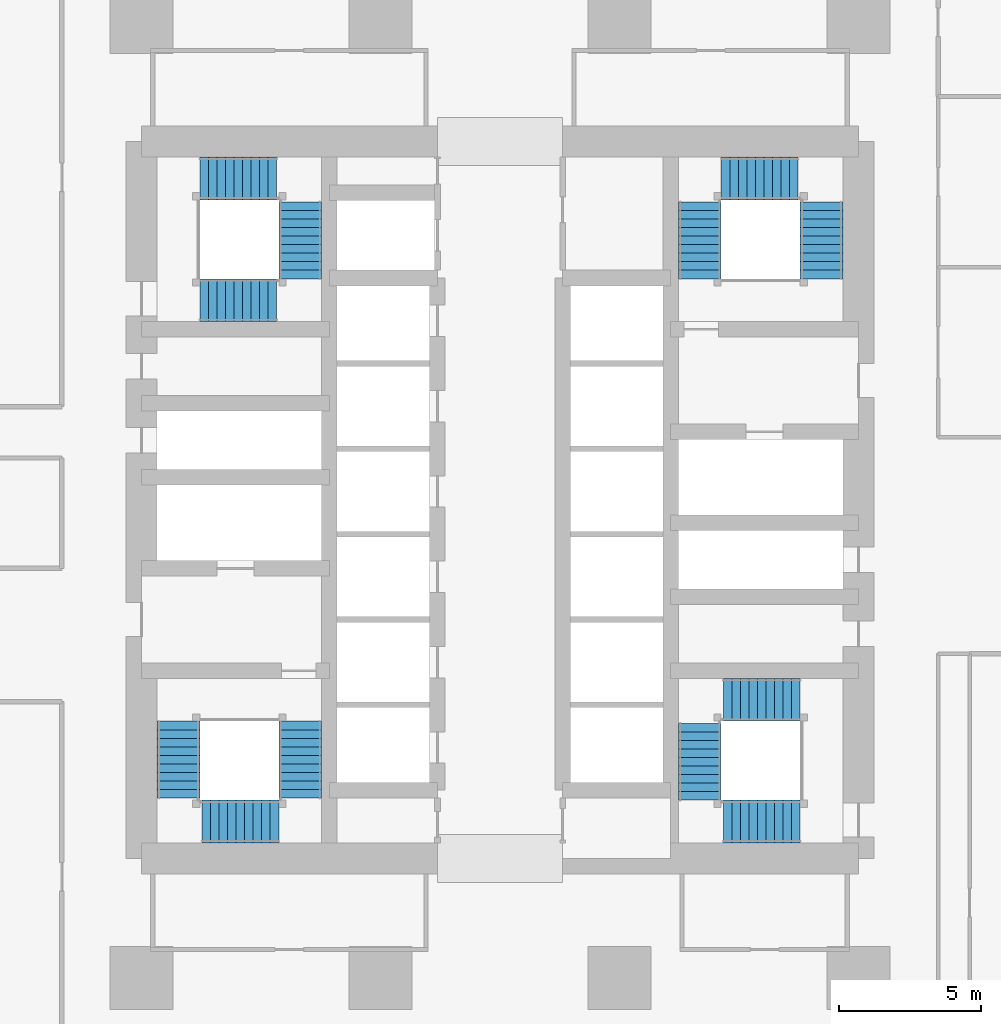
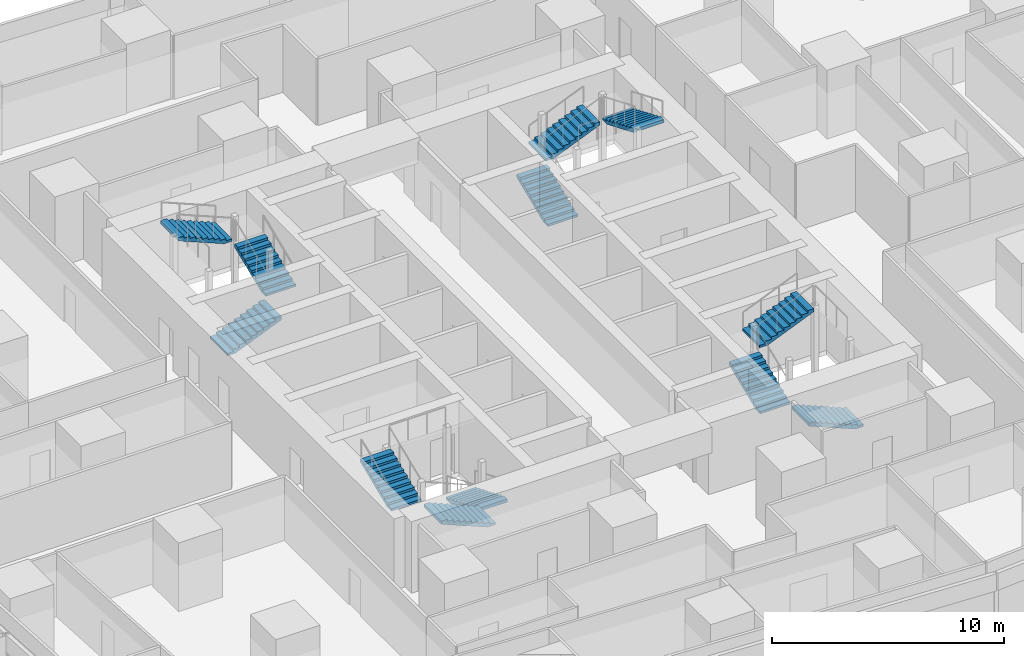
# One storey, part 36 of 45: 12 stair flights, 4 elements without a shape of their own.
"""IFC4 building model written with IfcOpenShell, lengths in metres."""

from ifc_helpers import new_model, si_unit, direction, frame, origin, place, context, subcontext, project, spatial, polyline, outline, extrude, material, type_object, element, aggregate, save


model = new_model("IFC4")

# Units and contexts
model_context = context("Model", 3, precision=1e-05, world=origin(), true_north=direction((0.0, 1.0)))
body_context = subcontext(model_context, "Body", "Model", "MODEL_VIEW")
ifc_project = project(units=[si_unit("LENGTHUNIT", "METRE"), si_unit("AREAUNIT", "SQUARE_METRE"), si_unit("VOLUMEUNIT", "CUBIC_METRE"), si_unit("PLANEANGLEUNIT", "RADIAN"), si_unit("MASSUNIT", "GRAM", prefix="KILO")], contexts=[model_context])

# Site, building, storey
site_placement = place(None, origin())
site = spatial("IfcSite", under=ifc_project, at=site_placement, CompositionType="ELEMENT")
building_placement = place(site_placement, origin())
building = spatial("IfcBuilding", under=site, at=building_placement, Name="Rekha Terrace Tower", CompositionType="ELEMENT")
storey_placement = place(building_placement, frame((0.0, 0.0, 44.14990234375)))
storey = spatial("IfcBuildingStorey", under=building, at=storey_placement, Name="L10", CompositionType="ELEMENT", Elevation=44.14990234375)

# Stair, stair flights
ifc_material = material(Name="Concrete M40", Category="concrete")
stair_type = type_object("IfcStairType", Name="ST30 stair, 30 risers of 125, going 300, 1500 wide flights, 3 flights", PredefinedType="HALF_TURN_STAIR", material=ifc_material)
stair_1_placement = place(storey_placement, origin())
stair_1 = element("IfcStair", 1, at=stair_1_placement, inside=storey, type_object=stair_type, Name="Stair ST1 L10 to L11", PredefinedType="HALF_TURN_STAIR")
stair_flight_type = type_object("IfcStairFlightType", Name="SF10 stair flight, 10 risers of 125, going 300, 1500 wide", PredefinedType="STRAIGHT", material=ifc_material)
stair_flight_1_placement = place(storey_placement, frame((30.77490234375, 25.824951171875, 0.0), z_axis=(0.0, 0.0, 1.0), x_axis=(0.0, -1.0, 0.0)))
stair_flight_1 = element("IfcStairFlight", 2, at=stair_flight_1_placement, type_object=stair_flight_type, Name="ST1 flight 1", NumberOfRisers=10, NumberOfTreads=9, PredefinedType="STRAIGHT", RiserHeight=0.125, TreadLength=0.3, context=body_context, shape_type="SweptSolid", body=[
    extrude(outline(polyline([(0.0, 0.0), (0.0, 0.125), (0.300048828125, 0.125), (0.300048828125, 0.25), (0.60009765625, 0.25), (0.60009765625, 0.375), (0.89990234375, 0.375), (0.89990234375, 0.5), (1.199951171875, 0.5), (1.199951171875, 0.625), (1.5, 0.625), (1.5, 0.75), (1.800048828125, 0.75), (1.800048828125, 0.875), (2.10009765625, 0.875), (2.10009765625, 1.0), (2.39990234375, 1.0), (2.39990234375, 1.125), (2.699951171875, 1.125), (2.699951171875, 1.25), (2.699951171875, 0.962646484375), (0.3896484375, 0.0), (0.0, 0.0)])), frame((0.0, 0.75, 0.0), z_axis=(0.0, -1.0, 0.0), x_axis=(1.0, 0.0, 0.0)), (0.0, 0.0, 1.0), 1.5),
])
stair_flight_2_placement = place(storey_placement, frame((30.02490234375, 22.300048828125, 1.25), z_axis=(0.0, 0.0, 1.0), x_axis=(-1.0, 0.0, 0.0)))
stair_flight_2 = element("IfcStairFlight", 3, at=stair_flight_2_placement, type_object=stair_flight_type, Name="ST1 flight 2", NumberOfRisers=10, NumberOfTreads=9, PredefinedType="STRAIGHT", RiserHeight=0.125, TreadLength=0.3, context=body_context, shape_type="SweptSolid", body=[
    extrude(outline(polyline([(0.0, 0.0), (0.0, 0.125), (0.300048828125, 0.125), (0.300048828125, 0.25), (0.60009765625, 0.25), (0.60009765625, 0.375), (0.89990234375, 0.375), (0.89990234375, 0.5), (1.199951171875, 0.5), (1.199951171875, 0.625), (1.5, 0.625), (1.5, 0.75), (1.800048828125, 0.75), (1.800048828125, 0.875), (2.10009765625, 0.875), (2.10009765625, 1.0), (2.39990234375, 1.0), (2.39990234375, 1.125), (2.699951171875, 1.125), (2.699951171875, 1.25), (2.699951171875, 0.962646484375), (0.3896484375, 0.0), (0.0, 0.0)])), frame((0.0, 0.75, 0.0), z_axis=(0.0, -1.0, 0.0), x_axis=(1.0, 0.0, 0.0)), (0.0, 0.0, 1.0), 1.5),
])
stair_flight_3_placement = place(storey_placement, frame((26.5, 23.125, 2.5), z_axis=(0.0, 0.0, 1.0), x_axis=(0.0, 1.0, 0.0)))
stair_flight_3 = element("IfcStairFlight", 4, at=stair_flight_3_placement, type_object=stair_flight_type, Name="ST1 flight 3", NumberOfRisers=10, NumberOfTreads=9, PredefinedType="STRAIGHT", RiserHeight=0.125, TreadLength=0.3, context=body_context, shape_type="SweptSolid", body=[
    extrude(outline(polyline([(0.0, 0.0), (0.0, 0.125), (0.300048828125, 0.125), (0.300048828125, 0.25), (0.60009765625, 0.25), (0.60009765625, 0.375), (0.89990234375, 0.375), (0.89990234375, 0.5), (1.199951171875, 0.5), (1.199951171875, 0.625), (1.5, 0.625), (1.5, 0.75), (1.800048828125, 0.75), (1.800048828125, 0.875), (2.10009765625, 0.875), (2.10009765625, 1.0), (2.39990234375, 1.0), (2.39990234375, 1.125), (2.699951171875, 1.125), (2.699951171875, 1.25), (2.699951171875, 0.962646484375), (0.3896484375, 0.0), (0.0, 0.0)])), frame((0.0, 0.75, 0.0), z_axis=(0.0, -1.0, 0.0), x_axis=(1.0, 0.0, 0.0)), (0.0, 0.0, 1.0), 1.5),
])
aggregate(stair_1, [stair_flight_1, stair_flight_2, stair_flight_3])

stair_2_placement = place(storey_placement, origin())
stair_2 = element("IfcStair", 5, at=stair_2_placement, inside=storey, type_object=stair_type, Name="Stair ST2 L10 to L11", PredefinedType="HALF_TURN_STAIR")
stair_flight_4_placement = place(storey_placement, frame((44.824951171875, 41.375, 0.0), z_axis=(0.0, 0.0, 1.0), x_axis=(0.0, 1.0, 0.0)))
stair_flight_4 = element("IfcStairFlight", 6, at=stair_flight_4_placement, type_object=stair_flight_type, Name="ST2 flight 1", NumberOfRisers=10, NumberOfTreads=9, PredefinedType="STRAIGHT", RiserHeight=0.125, TreadLength=0.3, context=body_context, shape_type="SweptSolid", body=[
    extrude(outline(polyline([(0.0, 0.0), (0.0, 0.125), (0.300048828125, 0.125), (0.300048828125, 0.25), (0.60009765625, 0.25), (0.60009765625, 0.375), (0.89990234375, 0.375), (0.89990234375, 0.5), (1.199951171875, 0.5), (1.199951171875, 0.625), (1.5, 0.625), (1.5, 0.75), (1.800048828125, 0.75), (1.800048828125, 0.875), (2.10009765625, 0.875), (2.10009765625, 1.0), (2.39990234375, 1.0), (2.39990234375, 1.125), (2.699951171875, 1.125), (2.699951171875, 1.25), (2.699951171875, 0.962646484375), (0.3896484375, 0.0), (0.0, 0.0)])), frame((0.0, 0.75, 0.0), z_axis=(0.0, -1.0, 0.0), x_axis=(1.0, 0.0, 0.0)), (0.0, 0.0, 1.0), 1.5),
])
stair_flight_5_placement = place(storey_placement, frame((45.574951171875, 44.89990234375, 1.25), z_axis=(0.0, 0.0, 1.0), x_axis=(1.0, 0.0, 0.0)))
stair_flight_5 = element("IfcStairFlight", 7, at=stair_flight_5_placement, type_object=stair_flight_type, Name="ST2 flight 2", NumberOfRisers=10, NumberOfTreads=9, PredefinedType="STRAIGHT", RiserHeight=0.125, TreadLength=0.3, context=body_context, shape_type="SweptSolid", body=[
    extrude(outline(polyline([(0.0, 0.0), (0.0, 0.125), (0.300048828125, 0.125), (0.300048828125, 0.25), (0.60009765625, 0.25), (0.60009765625, 0.375), (0.89990234375, 0.375), (0.89990234375, 0.5), (1.199951171875, 0.5), (1.199951171875, 0.625), (1.5, 0.625), (1.5, 0.75), (1.800048828125, 0.75), (1.800048828125, 0.875), (2.10009765625, 0.875), (2.10009765625, 1.0), (2.39990234375, 1.0), (2.39990234375, 1.125), (2.699951171875, 1.125), (2.699951171875, 1.25), (2.699951171875, 0.962646484375), (0.3896484375, 0.0), (0.0, 0.0)])), frame((0.0, 0.75, 0.0), z_axis=(0.0, -1.0, 0.0), x_axis=(1.0, 0.0, 0.0)), (0.0, 0.0, 1.0), 1.5),
])
stair_flight_6_placement = place(storey_placement, frame((49.10009765625, 44.074951171875, 2.5), z_axis=(0.0, 0.0, 1.0), x_axis=(0.0, -1.0, 0.0)))
stair_flight_6 = element("IfcStairFlight", 8, at=stair_flight_6_placement, type_object=stair_flight_type, Name="ST2 flight 3", NumberOfRisers=10, NumberOfTreads=9, PredefinedType="STRAIGHT", RiserHeight=0.125, TreadLength=0.3, context=body_context, shape_type="SweptSolid", body=[
    extrude(outline(polyline([(0.0, 0.0), (0.0, 0.125), (0.300048828125, 0.125), (0.300048828125, 0.25), (0.60009765625, 0.25), (0.60009765625, 0.375), (0.89990234375, 0.375), (0.89990234375, 0.5), (1.199951171875, 0.5), (1.199951171875, 0.625), (1.5, 0.625), (1.5, 0.75), (1.800048828125, 0.75), (1.800048828125, 0.875), (2.10009765625, 0.875), (2.10009765625, 1.0), (2.39990234375, 1.0), (2.39990234375, 1.125), (2.699951171875, 1.125), (2.699951171875, 1.25), (2.699951171875, 0.962646484375), (0.3896484375, 0.0), (0.0, 0.0)])), frame((0.0, 0.75, 0.0), z_axis=(0.0, -1.0, 0.0), x_axis=(1.0, 0.0, 0.0)), (0.0, 0.0, 1.0), 1.5),
])
aggregate(stair_2, [stair_flight_4, stair_flight_5, stair_flight_6])

stair_3_placement = place(storey_placement, origin())
stair_3 = element("IfcStair", 9, at=stair_3_placement, inside=storey, type_object=stair_type, Name="Stair ST3 L10 to L11", PredefinedType="HALF_TURN_STAIR")
stair_flight_7_placement = place(storey_placement, frame((48.35009765625, 22.300048828125, 0.0), z_axis=(0.0, 0.0, 1.0), x_axis=(-1.0, 0.0, 0.0)))
stair_flight_7 = element("IfcStairFlight", 10, at=stair_flight_7_placement, type_object=stair_flight_type, Name="ST3 flight 1", NumberOfRisers=10, NumberOfTreads=9, PredefinedType="STRAIGHT", RiserHeight=0.125, TreadLength=0.3, context=body_context, shape_type="SweptSolid", body=[
    extrude(outline(polyline([(0.0, 0.0), (0.0, 0.125), (0.300048828125, 0.125), (0.300048828125, 0.25), (0.60009765625, 0.25), (0.60009765625, 0.375), (0.89990234375, 0.375), (0.89990234375, 0.5), (1.199951171875, 0.5), (1.199951171875, 0.625), (1.5, 0.625), (1.5, 0.75), (1.800048828125, 0.75), (1.800048828125, 0.875), (2.10009765625, 0.875), (2.10009765625, 1.0), (2.39990234375, 1.0), (2.39990234375, 1.125), (2.699951171875, 1.125), (2.699951171875, 1.25), (2.699951171875, 0.962646484375), (0.3896484375, 0.0), (0.0, 0.0)])), frame((0.0, 0.75, 0.0), z_axis=(0.0, -1.0, 0.0), x_axis=(1.0, 0.0, 0.0)), (0.0, 0.0, 1.0), 1.5),
])
stair_flight_8_placement = place(storey_placement, frame((44.824951171875, 23.050048828125, 1.25), z_axis=(0.0, 0.0, 1.0), x_axis=(0.0, 1.0, 0.0)))
stair_flight_8 = element("IfcStairFlight", 11, at=stair_flight_8_placement, type_object=stair_flight_type, Name="ST3 flight 2", NumberOfRisers=10, NumberOfTreads=9, PredefinedType="STRAIGHT", RiserHeight=0.125, TreadLength=0.3, context=body_context, shape_type="SweptSolid", body=[
    extrude(outline(polyline([(0.0, 0.0), (0.0, 0.125), (0.300048828125, 0.125), (0.300048828125, 0.25), (0.60009765625, 0.25), (0.60009765625, 0.375), (0.89990234375, 0.375), (0.89990234375, 0.5), (1.199951171875, 0.5), (1.199951171875, 0.625), (1.5, 0.625), (1.5, 0.75), (1.800048828125, 0.75), (1.800048828125, 0.875), (2.10009765625, 0.875), (2.10009765625, 1.0), (2.39990234375, 1.0), (2.39990234375, 1.125), (2.699951171875, 1.125), (2.699951171875, 1.25), (2.699951171875, 0.962646484375), (0.3896484375, 0.0), (0.0, 0.0)])), frame((0.0, 0.75, 0.0), z_axis=(0.0, -1.0, 0.0), x_axis=(1.0, 0.0, 0.0)), (0.0, 0.0, 1.0), 1.5),
])
stair_flight_9_placement = place(storey_placement, frame((45.64990234375, 26.574951171875, 2.5), z_axis=(0.0, 0.0, 1.0), x_axis=(1.0, 0.0, 0.0)))
stair_flight_9 = element("IfcStairFlight", 12, at=stair_flight_9_placement, type_object=stair_flight_type, Name="ST3 flight 3", NumberOfRisers=10, NumberOfTreads=9, PredefinedType="STRAIGHT", RiserHeight=0.125, TreadLength=0.3, context=body_context, shape_type="SweptSolid", body=[
    extrude(outline(polyline([(0.0, 0.0), (0.0, 0.125), (0.300048828125, 0.125), (0.300048828125, 0.25), (0.60009765625, 0.25), (0.60009765625, 0.375), (0.89990234375, 0.375), (0.89990234375, 0.5), (1.199951171875, 0.5), (1.199951171875, 0.625), (1.5, 0.625), (1.5, 0.75), (1.800048828125, 0.75), (1.800048828125, 0.875), (2.10009765625, 0.875), (2.10009765625, 1.0), (2.39990234375, 1.0), (2.39990234375, 1.125), (2.699951171875, 1.125), (2.699951171875, 1.25), (2.699951171875, 0.962646484375), (0.3896484375, 0.0), (0.0, 0.0)])), frame((0.0, 0.75, 0.0), z_axis=(0.0, -1.0, 0.0), x_axis=(1.0, 0.0, 0.0)), (0.0, 0.0, 1.0), 1.5),
])
aggregate(stair_3, [stair_flight_7, stair_flight_8, stair_flight_9])

stair_4_placement = place(storey_placement, origin())
stair_4 = element("IfcStair", 13, at=stair_4_placement, inside=storey, type_object=stair_type, Name="Stair ST4 L10 to L11", PredefinedType="HALF_TURN_STAIR")
stair_flight_10_placement = place(storey_placement, frame((27.25, 40.625, 0.0), z_axis=(0.0, 0.0, 1.0), x_axis=(1.0, 0.0, 0.0)))
stair_flight_10 = element("IfcStairFlight", 14, at=stair_flight_10_placement, type_object=stair_flight_type, Name="ST4 flight 1", NumberOfRisers=10, NumberOfTreads=9, PredefinedType="STRAIGHT", RiserHeight=0.125, TreadLength=0.3, context=body_context, shape_type="SweptSolid", body=[
    extrude(outline(polyline([(0.0, 0.0), (0.0, 0.125), (0.300048828125, 0.125), (0.300048828125, 0.25), (0.60009765625, 0.25), (0.60009765625, 0.375), (0.89990234375, 0.375), (0.89990234375, 0.5), (1.199951171875, 0.5), (1.199951171875, 0.625), (1.5, 0.625), (1.5, 0.75), (1.800048828125, 0.75), (1.800048828125, 0.875), (2.10009765625, 0.875), (2.10009765625, 1.0), (2.39990234375, 1.0), (2.39990234375, 1.125), (2.699951171875, 1.125), (2.699951171875, 1.25), (2.699951171875, 0.962646484375), (0.3896484375, 0.0), (0.0, 0.0)])), frame((0.0, 0.75, 0.0), z_axis=(0.0, -1.0, 0.0), x_axis=(1.0, 0.0, 0.0)), (0.0, 0.0, 1.0), 1.5),
])
stair_flight_11_placement = place(storey_placement, frame((30.77490234375, 41.375, 1.25), z_axis=(0.0, 0.0, 1.0), x_axis=(0.0, 1.0, 0.0)))
stair_flight_11 = element("IfcStairFlight", 15, at=stair_flight_11_placement, type_object=stair_flight_type, Name="ST4 flight 2", NumberOfRisers=10, NumberOfTreads=9, PredefinedType="STRAIGHT", RiserHeight=0.125, TreadLength=0.3, context=body_context, shape_type="SweptSolid", body=[
    extrude(outline(polyline([(0.0, 0.0), (0.0, 0.125), (0.300048828125, 0.125), (0.300048828125, 0.25), (0.60009765625, 0.25), (0.60009765625, 0.375), (0.89990234375, 0.375), (0.89990234375, 0.5), (1.199951171875, 0.5), (1.199951171875, 0.625), (1.5, 0.625), (1.5, 0.75), (1.800048828125, 0.75), (1.800048828125, 0.875), (2.10009765625, 0.875), (2.10009765625, 1.0), (2.39990234375, 1.0), (2.39990234375, 1.125), (2.699951171875, 1.125), (2.699951171875, 1.25), (2.699951171875, 0.962646484375), (0.3896484375, 0.0), (0.0, 0.0)])), frame((0.0, 0.75, 0.0), z_axis=(0.0, -1.0, 0.0), x_axis=(1.0, 0.0, 0.0)), (0.0, 0.0, 1.0), 1.5),
])
stair_flight_12_placement = place(storey_placement, frame((29.949951171875, 44.89990234375, 2.5), z_axis=(0.0, 0.0, 1.0), x_axis=(-1.0, 0.0, 0.0)))
stair_flight_12 = element("IfcStairFlight", 16, at=stair_flight_12_placement, type_object=stair_flight_type, Name="ST4 flight 3", NumberOfRisers=10, NumberOfTreads=9, PredefinedType="STRAIGHT", RiserHeight=0.125, TreadLength=0.3, context=body_context, shape_type="SweptSolid", body=[
    extrude(outline(polyline([(0.0, 0.0), (0.0, 0.125), (0.300048828125, 0.125), (0.300048828125, 0.25), (0.60009765625, 0.25), (0.60009765625, 0.375), (0.89990234375, 0.375), (0.89990234375, 0.5), (1.199951171875, 0.5), (1.199951171875, 0.625), (1.5, 0.625), (1.5, 0.75), (1.800048828125, 0.75), (1.800048828125, 0.875), (2.10009765625, 0.875), (2.10009765625, 1.0), (2.39990234375, 1.0), (2.39990234375, 1.125), (2.699951171875, 1.125), (2.699951171875, 1.25), (2.699951171875, 0.962646484375), (0.3896484375, 0.0), (0.0, 0.0)])), frame((0.0, 0.75, 0.0), z_axis=(0.0, -1.0, 0.0), x_axis=(1.0, 0.0, 0.0)), (0.0, 0.0, 1.0), 1.5),
])
aggregate(stair_4, [stair_flight_10, stair_flight_11, stair_flight_12])

save(model, "model.ifc")
